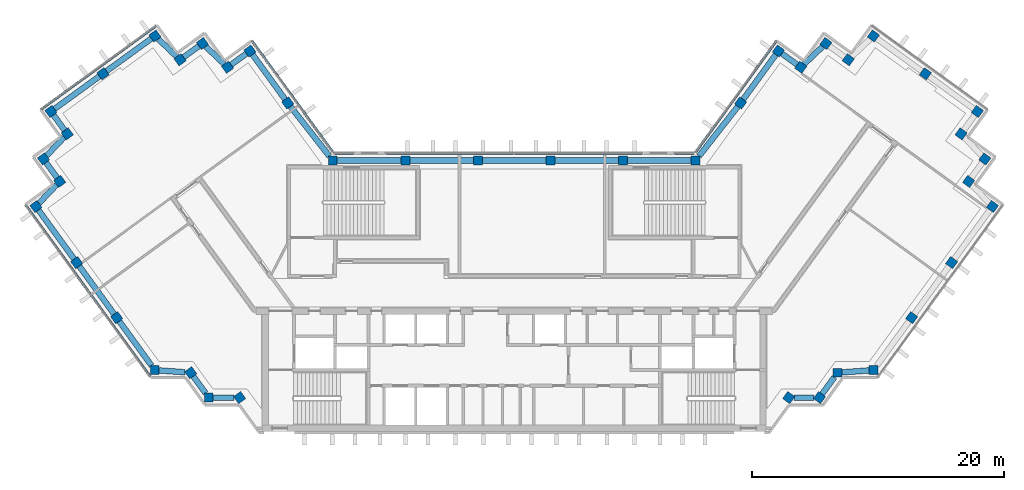
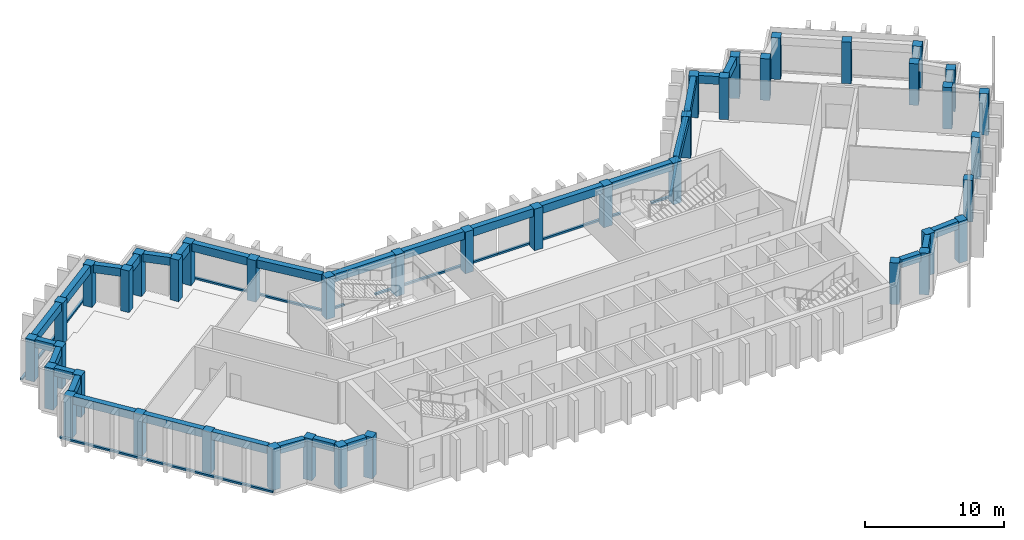
"""IFC4 building model written with IfcOpenShell, lengths in metres."""

from ifc_helpers import new_model, si_unit, direction, frame, origin, origin_2d, place, context, subcontext, project, spatial, rectangle, extrude, material, material_profile, profile_set, type_object, element, aggregate, save


model = new_model("IFC4")

# Units and contexts
model_context = context("Model", 3, precision=1e-05, world=origin(), true_north=direction((0.0, 1.0)))
body_context = subcontext(model_context, "Body", "Model", "MODEL_VIEW")
ifc_project = project(units=[si_unit("LENGTHUNIT", "METRE"), si_unit("AREAUNIT", "SQUARE_METRE"), si_unit("VOLUMEUNIT", "CUBIC_METRE"), si_unit("PLANEANGLEUNIT", "RADIAN"), si_unit("MASSUNIT", "GRAM", prefix="KILO")], contexts=[model_context])

# Site, building, storey
site_placement = place(None, origin())
site = spatial("IfcSite", under=ifc_project, at=site_placement, CompositionType="ELEMENT")
building_placement = place(site_placement, origin())
building = spatial("IfcBuilding", under=site, at=building_placement, Name="Quipu Civic Tower", CompositionType="ELEMENT")
storey_1_placement = place(building_placement, frame((0.0, 0.0, 327.0)))
storey_1 = spatial("IfcBuildingStorey", under=building, at=storey_1_placement, Name="L76", CompositionType="ELEMENT", Elevation=327.0)

# Columns
ifc_material_1 = material(Name="Concrete C40/50", Category="concrete")
ifc_material_profile_1 = material_profile(ifc_material_1, rectangle(XDim=0.699951171875, YDim=0.699951171875, at=origin_2d()), Name="RC700x700")
ifc_profile_set_1 = profile_set([ifc_material_profile_1], Name="Concrete C40/50")
column_type = type_object("IfcColumnType", Name="Perimeter column RC 700x700 C40/50", PredefinedType="COLUMN", material=ifc_profile_set_1)
for number, where, z_axis, x_axis, name in (
    (1, (-17.9736328125, 15.074951171875, 0.0), (0.0, 0.0, 1.0), (-0.587785252292, 0.809016994375, 0.0), "Column L76 W-IN-01"),
    (2, (-20.969970703125, 19.195068359375, 0.0), (0.0, 0.0, 1.0), (-0.587785252292, 0.809016994375, 0.0), "Column L76 T-Wi.0-W22"),
    (3, (-22.749267578125, 17.904296875, 0.0), (0.0, 0.0, 1.0), (-0.587785252292, 0.809016994375, 0.0), "Column L76 T-Wi.1-W22"),
    (4, (-24.739990234375, 19.794921875, 0.0), (0.0, 0.0, 1.0), (-0.587785252292, 0.809016994375, 0.0), "Column L76 T-Wi.2-W22"),
    (5, (-26.51904296875, 18.50048828125, 0.0), (0.0, 0.0, 1.0), (-0.587785252292, 0.809016994375, 0.0), "Column L76 T-Wi.3-W22"),
    (6, (-28.510009765625, 20.389892578125, 0.0), (0.0, 0.0, 1.0), (-0.809016994375, -0.587785252292, 0.0), "Column L76 T-Wi.4-W22"),
    (7, (-32.636962890625, 17.39306640625, 0.0), (0.0, 0.0, 1.0), (-0.809016994375, -0.587785252292, 0.0), "Column L76 TIP-W-01-W22"),
    (8, (-36.764892578125, 14.39501953125, 0.0), (0.0, 0.0, 1.0), (0.587785252292, -0.809016994375, 0.0), "Column L76 T-Wo.0-W22"),
    (9, (-35.470703125, 12.616455078125, 0.0), (0.0, 0.0, 1.0), (-0.809016994375, -0.587785252292, 0.0), "Column L76 T-Wo.1-W22"),
    (10, (-37.360107421875, 10.625, 0.0), (0.0, 0.0, 1.0), (0.587785252292, -0.809016994375, 0.0), "Column L76 T-Wo.2-W22"),
    (11, (-36.068115234375, 8.843994140625, 0.0), (0.0, 0.0, 1.0), (0.587785252292, -0.809016994375, 0.0), "Column L76 T-Wo.3-W22"),
    (12, (-37.9599609375, 6.85498046875, 0.0), (0.0, 0.0, 1.0), (0.587785252292, -0.809016994375, 0.0), "Column L76 T-Wo.4-W22"),
    (13, (-34.722412109375, 2.39990234375, 0.0), (0.0, 0.0, 1.0), (0.587785252292, -0.809016994375, 0.0), "Column L76 W-OUT-02"),
    (14, (-31.54833984375, -1.96875, 0.0), (0.0, 0.0, 1.0), (0.587785252292, -0.809016994375, 0.0), "Column L76 W-OUT-01"),
    (15, (-28.52490234375, -6.1298828125, 0.0), (0.0, 0.0, 1.0), (1.0, 0.0, 0.0), "Column L76 J-Wo.0"),
    (16, (-25.67431640625, -6.3369140625, 0.0), (0.0, 0.0, 1.0), (0.587785252292, -0.809016994375, 0.0), "Column L76 J-Wo.1"),
    (17, (-24.235107421875, -8.31494140625, 0.0), (0.0, 0.0, 1.0), (1.0, 0.0, 0.0), "Column L76 J-Wo.2"),
    (18, (-21.791748046875, -8.31494140625, 0.0), (0.0, 0.0, 1.0), (0.587785252292, -0.809016994375, 0.0), "Column L76 J-Wo.3"),
    (19, (21.791748046875, -8.31494140625, 0.0), (0.0, 0.0, 1.0), (0.587785252292, 0.809016994375, 0.0), "Column L76 J-Eo.1"),
    (20, (24.235107421875, -8.31494140625, 0.0), (0.0, 0.0, 1.0), (0.587785252292, 0.809016994375, 0.0), "Column L76 J-Eo.2"),
    (21, (25.67431640625, -6.3369140625, 0.0), (0.0, 0.0, 1.0), (1.0, 0.0, 0.0), "Column L76 J-Eo.3"),
    (22, (28.52490234375, -6.1298828125, 0.0), (0.0, 0.0, 1.0), (1.0, 0.0, 0.0), "Column L76 J-Eo.4"),
    (23, (31.54833984375, -1.96875, 0.0), (0.0, 0.0, 1.0), (0.587785252292, 0.809016994375, 0.0), "Column L76 E-OUT-01"),
    (24, (34.722412109375, 2.39990234375, 0.0), (0.0, 0.0, 1.0), (0.587785252292, 0.809016994375, 0.0), "Column L76 E-OUT-02"),
    (25, (37.9599609375, 6.85498046875, 0.0), (0.0, 0.0, 1.0), (0.587785252292, 0.809016994375, 0.0), "Column L76 T-Eo.0-E22"),
    (26, (36.068115234375, 8.843994140625, 0.0), (0.0, 0.0, 1.0), (0.587785252292, 0.809016994375, 0.0), "Column L76 T-Eo.1-E22"),
    (27, (37.360107421875, 10.625, 0.0), (0.0, 0.0, 1.0), (0.587785252292, 0.809016994375, 0.0), "Column L76 T-Eo.2-E22"),
    (28, (35.470703125, 12.616455078125, 0.0), (0.0, 0.0, 1.0), (-0.809016994375, 0.587785252292, 0.0), "Column L76 T-Eo.3-E22"),
    (29, (36.764892578125, 14.39501953125, 0.0), (0.0, 0.0, 1.0), (-0.809016994375, 0.587785252292, 0.0), "Column L76 T-Eo.4-E22"),
    (30, (32.636962890625, 17.39306640625, 0.0), (0.0, 0.0, 1.0), (-0.809016994375, 0.587785252292, 0.0), "Column L76 TIP-E-01-E22"),
    (31, (28.510009765625, 20.389892578125, 0.0), (0.0, 0.0, 1.0), (-0.587785252292, -0.809016994375, 0.0), "Column L76 T-Ei.0-E22"),
    (32, (26.51904296875, 18.50048828125, 0.0), (0.0, 0.0, 1.0), (-0.809016994375, 0.587785252292, 0.0), "Column L76 T-Ei.1-E22"),
    (33, (24.739990234375, 19.794921875, 0.0), (0.0, 0.0, 1.0), (-0.587785252292, -0.809016994375, 0.0), "Column L76 T-Ei.2-E22"),
    (34, (22.749267578125, 17.904296875, 0.0), (0.0, 0.0, 1.0), (-0.587785252292, -0.809016994375, 0.0), "Column L76 T-Ei.3-E22"),
    (35, (20.969970703125, 19.195068359375, 0.0), (0.0, 0.0, 1.0), (-0.587785252292, -0.809016994375, 0.0), "Column L76 T-Ei.4-E22"),
    (36, (17.9736328125, 15.074951171875, 0.0), (0.0, 0.0, 1.0), (-0.587785252292, -0.809016994375, 0.0), "Column L76 E-IN-01"),
    (37, (14.395263671875, 10.5, 0.0), (0.0, 0.0, 1.0), (-1.0, 0.0, 0.0), "Column L76 J-Ei.0"),
    (38, (8.63720703125, 10.5, 0.0), (0.0, 0.0, 1.0), (-1.0, 0.0, 0.0), "Column L76 FRONT-01"),
    (39, (2.87890625, 10.5, 0.0), (0.0, 0.0, 1.0), (-1.0, 0.0, 0.0), "Column L76 FRONT-02"),
    (40, (-2.87890625, 10.5, 0.0), (0.0, 0.0, 1.0), (-1.0, 0.0, 0.0), "Column L76 FRONT-03"),
    (41, (-8.63720703125, 10.5, 0.0), (0.0, 0.0, 1.0), (-1.0, 0.0, 0.0), "Column L76 FRONT-04"),
    (42, (-14.395263671875, 10.5, 0.0), (0.0, 0.0, 1.0), (-1.0, 0.0, 0.0), "Column L76 J-Wi.0"),
):
    element("IfcColumn", number, at=place(storey_1_placement, frame(where, z_axis=z_axis, x_axis=x_axis)), inside=storey_1, type_object=column_type, Name=name, PredefinedType="COLUMN", context=body_context, shape_type="SweptSolid", body=[
        extrude(rectangle(XDim=0.699951171875, YDim=0.699951171875, at=origin_2d()), origin(), (0.0, 0.0, 1.0), 3.64990234375),
    ])

# Beams
ifc_material_2 = material(Name="Concrete C50/60", Category="concrete")
ifc_material_profile_2 = material_profile(ifc_material_2, rectangle(XDim=0.449951171875, YDim=0.699951171875, at=origin_2d()), Name="RC450x700")
ifc_profile_set_2 = profile_set([ifc_material_profile_2], Name="Concrete C50/60")
beam_type = type_object("IfcBeamType", Name="Spandrel beam RC 450x700 C50/60", PredefinedType="SPANDREL", material=ifc_profile_set_2)
beam_1_placement = place(storey_1_placement, frame((-18.179443359375, 15.358154296875, 3.300048828125), z_axis=(-0.588201428764, 0.808714460857, 0.0), x_axis=(-0.808714460857, -0.588201428764, 0.0)))
element("IfcBeam", 43, at=beam_1_placement, inside=storey_1, type_object=beam_type, Name="Spandrel beam L76 W-IN-01 to T-Wi.0-W22", PredefinedType="SPANDREL", context=body_context, shape_type="SweptSolid", body=[
    extrude(rectangle(XDim=0.449951171875, YDim=0.699951171875, at=origin_2d()), origin(), (0.0, 0.0, 1.0), 4.394287109375),
])
beam_2_placement = place(storey_1_placement, frame((-21.25341796875, 18.989501953125, 3.300048828125), z_axis=(-0.809461336076, -0.587173181776, 0.0), x_axis=(0.587173181776, -0.809461336076, 0.0)))
element("IfcBeam", 44, at=beam_2_placement, inside=storey_1, type_object=beam_type, Name="Spandrel beam L76 T-Wi.0-W22 to T-Wi.1-W22", PredefinedType="SPANDREL", context=body_context, shape_type="SweptSolid", body=[
    extrude(rectangle(XDim=0.449951171875, YDim=0.699951171875, at=origin_2d()), origin(), (0.0, 0.0, 1.0), 1.498046875),
])
beam_3_placement = place(storey_1_placement, frame((-23.00732421875, 18.1494140625, 3.300048828125), z_axis=(-0.72511931772, 0.6886232461, 0.0), x_axis=(-0.6886232461, -0.72511931772, 0.0)))
element("IfcBeam", 45, at=beam_3_placement, inside=storey_1, type_object=beam_type, Name="Spandrel beam L76 T-Wi.1-W22 to T-Wi.2-W22", PredefinedType="SPANDREL", context=body_context, shape_type="SweptSolid", body=[
    extrude(rectangle(XDim=0.449951171875, YDim=0.699951171875, at=origin_2d()), origin(), (0.0, 0.0, 1.0), 2.03369140625),
])
beam_4_placement = place(storey_1_placement, frame((-25.02294921875, 19.589111328125, 3.300048828125), z_axis=(-0.808644589435, -0.588297482553, 0.0), x_axis=(0.588297482553, -0.808644589435, 0.0)))
element("IfcBeam", 46, at=beam_4_placement, inside=storey_1, type_object=beam_type, Name="Spandrel beam L76 T-Wi.2-W22 to T-Wi.3-W22", PredefinedType="SPANDREL", context=body_context, shape_type="SweptSolid", body=[
    extrude(rectangle(XDim=0.449951171875, YDim=0.699951171875, at=origin_2d()), origin(), (0.0, 0.0, 1.0), 1.500244140625),
])
beam_5_placement = place(storey_1_placement, frame((-26.777099609375, 18.74560546875, 3.300048828125), z_axis=(-0.725359138958, 0.688370626574, 0.0), x_axis=(-0.688370626574, -0.725359138958, 0.0)))
element("IfcBeam", 47, at=beam_5_placement, inside=storey_1, type_object=beam_type, Name="Spandrel beam L76 T-Wi.3-W22 to T-Wi.4-W22", PredefinedType="SPANDREL", context=body_context, shape_type="SweptSolid", body=[
    extrude(rectangle(XDim=0.449951171875, YDim=0.699951171875, at=origin_2d()), origin(), (0.0, 0.0, 1.0), 2.032958984375),
])
beam_6_placement = place(storey_1_placement, frame((-28.793212890625, 20.184326171875, 3.300048828125), z_axis=(-0.809146152767, -0.587607439931, 0.0), x_axis=(0.587607439931, -0.809146152767, 0.0)))
element("IfcBeam", 48, at=beam_6_placement, inside=storey_1, type_object=beam_type, Name="Spandrel beam L76 T-Wi.4-W22 to TIP-W-01-W22", PredefinedType="SPANDREL", context=body_context, shape_type="SweptSolid", body=[
    extrude(rectangle(XDim=0.449951171875, YDim=0.699951171875, at=origin_2d()), origin(), (0.0, 0.0, 1.0), 4.400390625),
])
beam_7_placement = place(storey_1_placement, frame((-32.920166015625, 17.187255859375, 3.300048828125), z_axis=(-0.809117270763, -0.587647208921, 0.0), x_axis=(0.587647208921, -0.809117270763, 0.0)))
element("IfcBeam", 49, at=beam_7_placement, inside=storey_1, type_object=beam_type, Name="Spandrel beam L76 TIP-W-01-W22 to T-Wo.0-W22", PredefinedType="SPANDREL", context=body_context, shape_type="SweptSolid", body=[
    extrude(rectangle(XDim=0.449951171875, YDim=0.699951171875, at=origin_2d()), origin(), (0.0, 0.0, 1.0), 4.40185546875),
])
beam_8_placement = place(storey_1_placement, frame((-36.55908203125, 14.112060546875, 3.300048828125), z_axis=(0.588345920092, -0.808609348394, 0.0), x_axis=(0.808609348394, 0.588345920092, 0.0)))
element("IfcBeam", 50, at=beam_8_placement, inside=storey_1, type_object=beam_type, Name="Spandrel beam L76 T-Wo.0-W22 to T-Wo.1-W22", PredefinedType="SPANDREL", context=body_context, shape_type="SweptSolid", body=[
    extrude(rectangle(XDim=0.449951171875, YDim=0.699951171875, at=origin_2d()), origin(), (0.0, 0.0, 1.0), 1.499755859375),
])
beam_9_placement = place(storey_1_placement, frame((-35.7158203125, 12.358154296875, 3.300048828125), z_axis=(-0.688247466856, -0.725475998477, 0.0), x_axis=(0.725475998477, -0.688247466856, 0.0)))
element("IfcBeam", 51, at=beam_9_placement, inside=storey_1, type_object=beam_type, Name="Spandrel beam L76 T-Wo.1-W22 to T-Wo.2-W22", PredefinedType="SPANDREL", context=body_context, shape_type="SweptSolid", body=[
    extrude(rectangle(XDim=0.449951171875, YDim=0.699951171875, at=origin_2d()), origin(), (0.0, 0.0, 1.0), 2.032958984375),
])
beam_10_placement = place(storey_1_placement, frame((-37.154541015625, 10.341796875, 3.300048828125), z_axis=(0.587164895097, -0.809467347066, 0.0), x_axis=(0.809467347066, 0.587164895097, 0.0)))
element("IfcBeam", 52, at=beam_10_placement, inside=storey_1, type_object=beam_type, Name="Spandrel beam L76 T-Wo.2-W22 to T-Wo.3-W22", PredefinedType="SPANDREL", context=body_context, shape_type="SweptSolid", body=[
    extrude(rectangle(XDim=0.449951171875, YDim=0.699951171875, at=origin_2d()), origin(), (0.0, 0.0, 1.0), 1.500244140625),
])
beam_11_placement = place(storey_1_placement, frame((-36.3134765625, 8.586181640625, 3.300048828125), z_axis=(-0.689175330605, -0.724594620244, 0.0), x_axis=(0.724594620244, -0.689175330605, 0.0)))
element("IfcBeam", 53, at=beam_11_placement, inside=storey_1, type_object=beam_type, Name="Spandrel beam L76 T-Wo.3-W22 to T-Wo.4-W22", PredefinedType="SPANDREL", context=body_context, shape_type="SweptSolid", body=[
    extrude(rectangle(XDim=0.449951171875, YDim=0.699951171875, at=origin_2d()), origin(), (0.0, 0.0, 1.0), 2.033447265625),
])
beam_12_placement = place(storey_1_placement, frame((-37.754150390625, 6.57177734375, 3.300048828125), z_axis=(0.587905928359, -0.808929304328, 0.0), x_axis=(0.808929304328, 0.587905928359, 0.0)))
element("IfcBeam", 54, at=beam_12_placement, inside=storey_1, type_object=beam_type, Name="Spandrel beam L76 T-Wo.4-W22 to W-OUT-02", PredefinedType="SPANDREL", context=body_context, shape_type="SweptSolid", body=[
    extrude(rectangle(XDim=0.449951171875, YDim=0.699951171875, at=origin_2d()), origin(), (0.0, 0.0, 1.0), 4.80712890625),
])
beam_13_placement = place(storey_1_placement, frame((-34.5166015625, 2.116943359375, 3.300048828125), z_axis=(0.587788656305, -0.809014521204, 0.0), x_axis=(0.809014521204, 0.587788656305, 0.0)))
element("IfcBeam", 55, at=beam_13_placement, inside=storey_1, type_object=beam_type, Name="Spandrel beam L76 W-OUT-02 to W-OUT-01", PredefinedType="SPANDREL", context=body_context, shape_type="SweptSolid", body=[
    extrude(rectangle(XDim=0.449951171875, YDim=0.699951171875, at=origin_2d()), origin(), (0.0, 0.0, 1.0), 4.7001953125),
])
beam_14_placement = place(storey_1_placement, frame((-31.342529296875, -2.251953125, 3.300048828125), z_axis=(0.58777550284, -0.809024077677, 0.0), x_axis=(0.809024077677, 0.58777550284, 0.0)))
element("IfcBeam", 56, at=beam_14_placement, inside=storey_1, type_object=beam_type, Name="Spandrel beam L76 W-OUT-01 to J-Wo.0", PredefinedType="SPANDREL", context=body_context, shape_type="SweptSolid", body=[
    extrude(rectangle(XDim=0.449951171875, YDim=0.699951171875, at=origin_2d()), origin(), (0.0, 0.0, 1.0), 4.36083984375),
])
beam_15_placement = place(storey_1_placement, frame((-28.175048828125, -6.155517578125, 3.300048828125), z_axis=(0.99737333325, -0.072432272649, 0.0), x_axis=(0.072432272649, 0.99737333325, 0.0)))
element("IfcBeam", 57, at=beam_15_placement, inside=storey_1, type_object=beam_type, Name="Spandrel beam L76 J-Wo.0 to J-Wo.1", PredefinedType="SPANDREL", context=body_context, shape_type="SweptSolid", body=[
    extrude(rectangle(XDim=0.449951171875, YDim=0.699951171875, at=origin_2d()), origin(), (0.0, 0.0, 1.0), 2.04931640625),
])
beam_16_placement = place(storey_1_placement, frame((-25.468505859375, -6.6201171875, 3.300048828125), z_axis=(0.588407300614, -0.80856468423, 0.0), x_axis=(0.80856468423, 0.588407300614, 0.0)))
element("IfcBeam", 58, at=beam_16_placement, inside=storey_1, type_object=beam_type, Name="Spandrel beam L76 J-Wo.1 to J-Wo.2", PredefinedType="SPANDREL", context=body_context, shape_type="SweptSolid", body=[
    extrude(rectangle(XDim=0.449951171875, YDim=0.699951171875, at=origin_2d()), origin(), (0.0, 0.0, 1.0), 1.663330078125),
])
beam_17_placement = place(storey_1_placement, frame((-23.885009765625, -8.31494140625, 3.300048828125), z_axis=(1.0, 0.0, 0.0), x_axis=(0.0, 1.0, 0.0)))
element("IfcBeam", 59, at=beam_17_placement, inside=storey_1, type_object=beam_type, Name="Spandrel beam L76 J-Wo.2 to J-Wo.3", PredefinedType="SPANDREL", context=body_context, shape_type="SweptSolid", body=[
    extrude(rectangle(XDim=0.449951171875, YDim=0.699951171875, at=origin_2d()), origin(), (0.0, 0.0, 1.0), 1.66064453125),
])
beam_18_placement = place(storey_1_placement, frame((22.224365234375, -8.31494140625, 3.300048828125), z_axis=(1.0, 0.0, 0.0), x_axis=(0.0, 1.0, 0.0)))
element("IfcBeam", 60, at=beam_18_placement, inside=storey_1, type_object=beam_type, Name="Spandrel beam L76 J-Eo.1 to J-Eo.2", PredefinedType="SPANDREL", context=body_context, shape_type="SweptSolid", body=[
    extrude(rectangle(XDim=0.449951171875, YDim=0.699951171875, at=origin_2d()), origin(), (0.0, 0.0, 1.0), 1.578125),
])
beam_19_placement = place(storey_1_placement, frame((24.44091796875, -8.031982421875, 3.300048828125), z_axis=(0.588407300614, 0.80856468423, 0.0), x_axis=(-0.80856468423, 0.588407300614, 0.0)))
element("IfcBeam", 61, at=beam_19_placement, inside=storey_1, type_object=beam_type, Name="Spandrel beam L76 J-Eo.2 to J-Eo.3", PredefinedType="SPANDREL", context=body_context, shape_type="SweptSolid", body=[
    extrude(rectangle(XDim=0.449951171875, YDim=0.699951171875, at=origin_2d()), origin(), (0.0, 0.0, 1.0), 1.663330078125),
])
beam_20_placement = place(storey_1_placement, frame((26.0244140625, -6.3115234375, 3.300048828125), z_axis=(0.997379352029, 0.072349347934, 0.0), x_axis=(-0.072349347934, 0.997379352029, 0.0)))
element("IfcBeam", 62, at=beam_20_placement, inside=storey_1, type_object=beam_type, Name="Spandrel beam L76 J-Eo.3 to J-Eo.4", PredefinedType="SPANDREL", context=body_context, shape_type="SweptSolid", body=[
    extrude(rectangle(XDim=0.449951171875, YDim=0.699951171875, at=origin_2d()), origin(), (0.0, 0.0, 1.0), 2.15625),
])
beam_21_placement = place(storey_1_placement, frame((24.48193359375, 19.5498046875, 3.300048828125), z_axis=(-0.72511931772, -0.6886232461, 0.0), x_axis=(0.6886232461, -0.72511931772, 0.0)))
element("IfcBeam", 63, at=beam_21_placement, inside=storey_1, type_object=beam_type, Name="Spandrel beam L76 T-Ei.2-E22 to T-Ei.3-E22", PredefinedType="SPANDREL", context=body_context, shape_type="SweptSolid", body=[
    extrude(rectangle(XDim=0.449951171875, YDim=0.699951171875, at=origin_2d()), origin(), (0.0, 0.0, 1.0), 2.03369140625),
])
beam_22_placement = place(storey_1_placement, frame((22.466064453125, 18.10986328125, 3.300048828125), z_axis=(-0.809461336076, 0.587173181776, 0.0), x_axis=(-0.587173181776, -0.809461336076, 0.0)))
element("IfcBeam", 64, at=beam_22_placement, inside=storey_1, type_object=beam_type, Name="Spandrel beam L76 T-Ei.3-E22 to T-Ei.4-E22", PredefinedType="SPANDREL", context=body_context, shape_type="SweptSolid", body=[
    extrude(rectangle(XDim=0.449951171875, YDim=0.699951171875, at=origin_2d()), origin(), (0.0, 0.0, 1.0), 1.498046875),
])
beam_23_placement = place(storey_1_placement, frame((20.76416015625, 18.911865234375, 3.300048828125), z_axis=(-0.588201428764, -0.808714460857, 0.0), x_axis=(0.808714460857, -0.588201428764, 0.0)))
element("IfcBeam", 65, at=beam_23_placement, inside=storey_1, type_object=beam_type, Name="Spandrel beam L76 T-Ei.4-E22 to E-IN-01", PredefinedType="SPANDREL", context=body_context, shape_type="SweptSolid", body=[
    extrude(rectangle(XDim=0.449951171875, YDim=0.699951171875, at=origin_2d()), origin(), (0.0, 0.0, 1.0), 4.394287109375),
])
beam_24_placement = place(storey_1_placement, frame((17.7578125, 14.799072265625, 3.300048828125), z_axis=(-0.616106034519, -0.787663223865, 0.0), x_axis=(0.787663223865, -0.616106034519, 0.0)))
element("IfcBeam", 66, at=beam_24_placement, inside=storey_1, type_object=beam_type, Name="Spandrel beam L76 E-IN-01 to J-Ei.0", PredefinedType="SPANDREL", context=body_context, shape_type="SweptSolid", body=[
    extrude(rectangle(XDim=0.449951171875, YDim=0.699951171875, at=origin_2d()), origin(), (0.0, 0.0, 1.0), 5.013427734375),
])
for number, where, z_axis, x_axis, name in (
    (67, (14.045166015625, 10.5, 3.300048828125), (-1.0, 0.0, 0.0), (0.0, -1.0, 0.0), "Spandrel beam L76 J-Ei.0 to FRONT-01"),
    (68, (8.287109375, 10.5, 3.300048828125), (-1.0, 0.0, 0.0), (0.0, -1.0, 0.0), "Spandrel beam L76 FRONT-01 to FRONT-02"),
    (69, (2.529052734375, 10.5, 3.300048828125), (-1.0, 0.0, 0.0), (0.0, -1.0, 0.0), "Spandrel beam L76 FRONT-02 to FRONT-03"),
    (70, (-3.22900390625, 10.5, 3.300048828125), (-1.0, 0.0, 0.0), (0.0, -1.0, 0.0), "Spandrel beam L76 FRONT-03 to FRONT-04"),
    (71, (-8.987060546875, 10.5, 3.300048828125), (-1.0, 0.0, 0.0), (0.0, -1.0, 0.0), "Spandrel beam L76 FRONT-04 to J-Wi.0"),
):
    element("IfcBeam", number, at=place(storey_1_placement, frame(where, z_axis=z_axis, x_axis=x_axis)), inside=storey_1, type_object=beam_type, Name=name, PredefinedType="SPANDREL", context=body_context, shape_type="SweptSolid", body=[
        extrude(rectangle(XDim=0.449951171875, YDim=0.699951171875, at=origin_2d()), origin(), (0.0, 0.0, 1.0), 5.05810546875),
    ])
beam_25_placement = place(storey_1_placement, frame((-14.6689453125, 10.85009765625, 3.300048828125), z_axis=(-0.616106034519, 0.787663223865, 0.0), x_axis=(-0.787663223865, -0.616106034519, 0.0)))
element("IfcBeam", 72, at=beam_25_placement, inside=storey_1, type_object=beam_type, Name="Spandrel beam L76 J-Wi.0 to W-IN-01", PredefinedType="SPANDREL", context=body_context, shape_type="SweptSolid", body=[
    extrude(rectangle(XDim=0.449951171875, YDim=0.699951171875, at=origin_2d()), origin(), (0.0, 0.0, 1.0), 5.013427734375),
])

# Storey
storey_2_placement = place(building_placement, frame((0.0, 0.0, 323.0)))
storey_2 = spatial("IfcBuildingStorey", under=building, at=storey_2_placement, Name="L75", CompositionType="ELEMENT", Elevation=323.0)

# Curtain wall, member
ifc_material_3 = material(Name="Insulated glass unit", Category="glass")
curtain_wall_type = type_object("IfcCurtainWallType", Name="Office curtain wall CW1", PredefinedType="NOTDEFINED", material=ifc_material_3)
curtain_wall_1_placement = place(storey_2_placement, origin())
curtain_wall_1 = element("IfcCurtainWall", 73, at=curtain_wall_1_placement, inside=storey_2, type_object=curtain_wall_type, Name="Office curtain wall CW1 L74 run 8", PredefinedType="NOTDEFINED")
ifc_material_4 = material(Name="Anodised aluminium", Category="aluminium")
ifc_material_profile_3 = material_profile(ifc_material_4, rectangle(XDim=0.199951171875, YDim=0.159912109375, at=origin_2d()), Name="RECT 200x160")
ifc_profile_set_3 = profile_set([ifc_material_profile_3], Name="Anodised aluminium")
member_type = type_object("IfcMemberType", Name="Transom CW1", PredefinedType="USERDEFINED", material=ifc_profile_set_3)
member_1_placement = place(storey_1_placement, frame((-14.39111328125, 11.164794921875, 0.080078125), z_axis=(-0.587796859727, 0.809008560953, 0.0), x_axis=(-0.809008560953, -0.587796859727, 0.0)))
member_1 = element("IfcMember", 74, at=member_1_placement, inside=storey_1, type_object=member_type, Name="CW1 transom 1.3", ObjectType="TRANSOM", PredefinedType="USERDEFINED", context=body_context, shape_type="SweptSolid", body=[
    extrude(rectangle(XDim=0.199951171875, YDim=0.159912109375, at=origin_2d()), origin(), (0.0, 0.0, 1.0), 10.88427734375),
])
aggregate(curtain_wall_1, [member_1])

curtain_wall_2_placement = place(storey_2_placement, origin())
curtain_wall_2 = element("IfcCurtainWall", 75, at=curtain_wall_2_placement, inside=storey_2, type_object=curtain_wall_type, Name="Office curtain wall CW1 L74 run 13", PredefinedType="NOTDEFINED")
member_2_placement = place(storey_1_placement, frame((-28.443359375, 21.1826171875, 0.080078125), z_axis=(-0.809022463805, -0.587777724194, 0.0), x_axis=(0.587777724194, -0.809022463805, 0.0)))
member_2 = element("IfcMember", 76, at=member_2_placement, inside=storey_1, type_object=member_type, Name="CW1 transom 1.3", ObjectType="TRANSOM", PredefinedType="USERDEFINED", context=body_context, shape_type="SweptSolid", body=[
    extrude(rectangle(XDim=0.199951171875, YDim=0.159912109375, at=origin_2d()), origin(), (0.0, 0.0, 1.0), 11.240234375),
])
aggregate(curtain_wall_2, [member_2])

# Curtain wall, members
curtain_wall_3_placement = place(storey_2_placement, origin())
curtain_wall_3 = element("IfcCurtainWall", 77, at=curtain_wall_3_placement, inside=storey_2, type_object=curtain_wall_type, Name="Office curtain wall CW1 L74 run 18", PredefinedType="NOTDEFINED")
member_3_placement = place(storey_1_placement, frame((-38.7490234375, 6.92138671875, 0.080078125), z_axis=(0.587779098815, -0.809021465102, 0.0), x_axis=(0.809021465102, 0.587779098815, 0.0)))
member_3 = element("IfcMember", 78, at=member_3_placement, inside=storey_1, type_object=member_type, Name="CW1 transom 1.3", ObjectType="TRANSOM", PredefinedType="USERDEFINED", context=body_context, shape_type="SweptSolid", body=[
    extrude(rectangle(XDim=0.199951171875, YDim=0.159912109375, at=origin_2d()), origin(), (0.0, 0.0, 1.0), 8.35791015625),
])
member_4_placement = place(storey_1_placement, frame((-33.78955078125, 0.094970703125, 0.080078125), z_axis=(0.587812107925, -0.808997481935, 0.0), x_axis=(0.808997481935, 0.587812107925, 0.0)))
member_4 = element("IfcMember", 79, at=member_4_placement, inside=storey_1, type_object=member_type, Name="CW1 transom 2.3", ObjectType="TRANSOM", PredefinedType="USERDEFINED", context=body_context, shape_type="SweptSolid", body=[
    extrude(rectangle(XDim=0.199951171875, YDim=0.159912109375, at=origin_2d()), origin(), (0.0, 0.0, 1.0), 8.35791015625),
])
aggregate(curtain_wall_3, [member_3, member_4])

# Curtain wall, member
curtain_wall_4_placement = place(storey_2_placement, origin())
curtain_wall_4 = element("IfcCurtainWall", 80, at=curtain_wall_4_placement, inside=storey_2, type_object=curtain_wall_type, Name="Office curtain wall CW1 L74 run 33", PredefinedType="NOTDEFINED")
member_5_placement = place(storey_1_placement, frame((20.788818359375, 19.97021484375, 0.080078125), z_axis=(-0.587796859727, -0.809008560953, 0.0), x_axis=(0.809008560953, -0.587796859727, 0.0)))
member_5 = element("IfcMember", 81, at=member_5_placement, inside=storey_1, type_object=member_type, Name="CW1 transom 1.3", ObjectType="TRANSOM", PredefinedType="USERDEFINED", context=body_context, shape_type="SweptSolid", body=[
    extrude(rectangle(XDim=0.199951171875, YDim=0.159912109375, at=origin_2d()), origin(), (0.0, 0.0, 1.0), 10.88427734375),
])
aggregate(curtain_wall_4, [member_5])

curtain_wall_5_placement = place(storey_2_placement, origin())
curtain_wall_5 = element("IfcCurtainWall", 82, at=curtain_wall_5_placement, inside=storey_2, type_object=curtain_wall_type, Name="Office curtain wall CW1 L74 run 34", PredefinedType="NOTDEFINED")
member_6_placement = place(storey_1_placement, frame((14.26416015625, 11.10009765625, 0.080078125), z_axis=(-1.0, 0.0, 0.0), x_axis=(0.0, -1.0, 0.0)))
member_6 = element("IfcMember", 83, at=member_6_placement, inside=storey_1, type_object=member_type, Name="CW1 transom 1.3", ObjectType="TRANSOM", PredefinedType="USERDEFINED", context=body_context, shape_type="SweptSolid", body=[
    extrude(rectangle(XDim=0.199951171875, YDim=0.159912109375, at=origin_2d()), origin(), (0.0, 0.0, 1.0), 1.529052734375),
])
aggregate(curtain_wall_5, [member_6])

# Curtain wall, members
curtain_wall_6_placement = place(storey_2_placement, origin())
curtain_wall_6 = element("IfcCurtainWall", 84, at=curtain_wall_6_placement, inside=storey_2, type_object=curtain_wall_type, Name="Office curtain wall CW1 L74 run 36", PredefinedType="NOTDEFINED")
member_7_placement = place(storey_1_placement, frame((10.18359375, 11.10009765625, 0.080078125), z_axis=(-1.0, 0.0, 0.0), x_axis=(0.0, -1.0, 0.0)))
member_7 = element("IfcMember", 85, at=member_7_placement, inside=storey_1, type_object=member_type, Name="CW1 transom 1.3", ObjectType="TRANSOM", PredefinedType="USERDEFINED", context=body_context, shape_type="SweptSolid", body=[
    extrude(rectangle(XDim=0.199951171875, YDim=0.159912109375, at=origin_2d()), origin(), (0.0, 0.0, 1.0), 10.1435546875),
])
member_8_placement = place(storey_1_placement, frame((-0.0400390625, 11.10009765625, 0.080078125), z_axis=(-1.0, 0.0, 0.0), x_axis=(0.0, -1.0, 0.0)))
member_8 = element("IfcMember", 86, at=member_8_placement, inside=storey_1, type_object=member_type, Name="CW1 transom 2.3", ObjectType="TRANSOM", PredefinedType="USERDEFINED", context=body_context, shape_type="SweptSolid", body=[
    extrude(rectangle(XDim=0.199951171875, YDim=0.159912109375, at=origin_2d()), origin(), (0.0, 0.0, 1.0), 10.1435546875),
])
aggregate(curtain_wall_6, [member_7, member_8])

# Curtain wall, member
curtain_wall_7_placement = place(storey_2_placement, origin())
curtain_wall_7 = element("IfcCurtainWall", 87, at=curtain_wall_7_placement, inside=storey_2, type_object=curtain_wall_type, Name="Office curtain wall CW1 L74 run 38", PredefinedType="NOTDEFINED")
member_9_placement = place(storey_1_placement, frame((-12.735107421875, 11.10009765625, 0.080078125), z_axis=(-1.0, 0.0, 0.0), x_axis=(0.0, -1.0, 0.0)))
member_9 = element("IfcMember", 88, at=member_9_placement, inside=storey_1, type_object=member_type, Name="CW1 transom 1.3", ObjectType="TRANSOM", PredefinedType="USERDEFINED", context=body_context, shape_type="SweptSolid", body=[
    extrude(rectangle(XDim=0.199951171875, YDim=0.159912109375, at=origin_2d()), origin(), (0.0, 0.0, 1.0), 1.529052734375),
])
aggregate(curtain_wall_7, [member_9])

save(model, "model.ifc")
